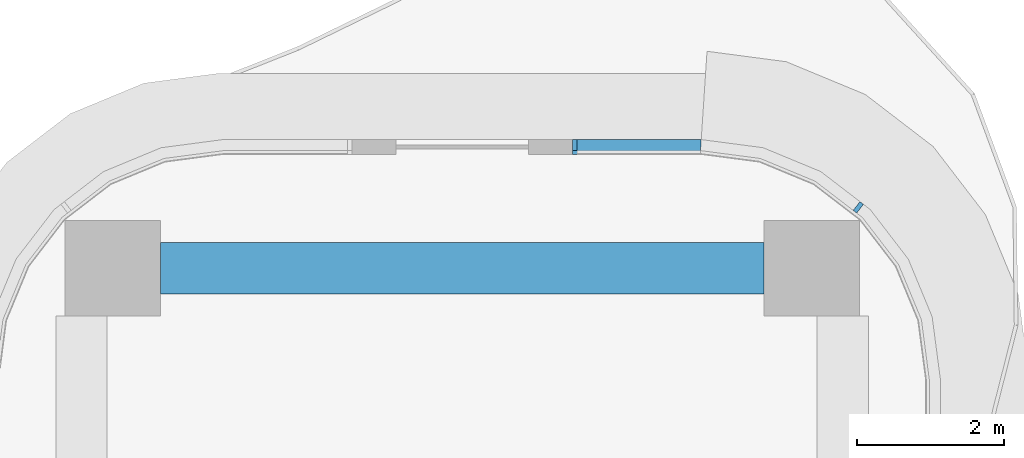
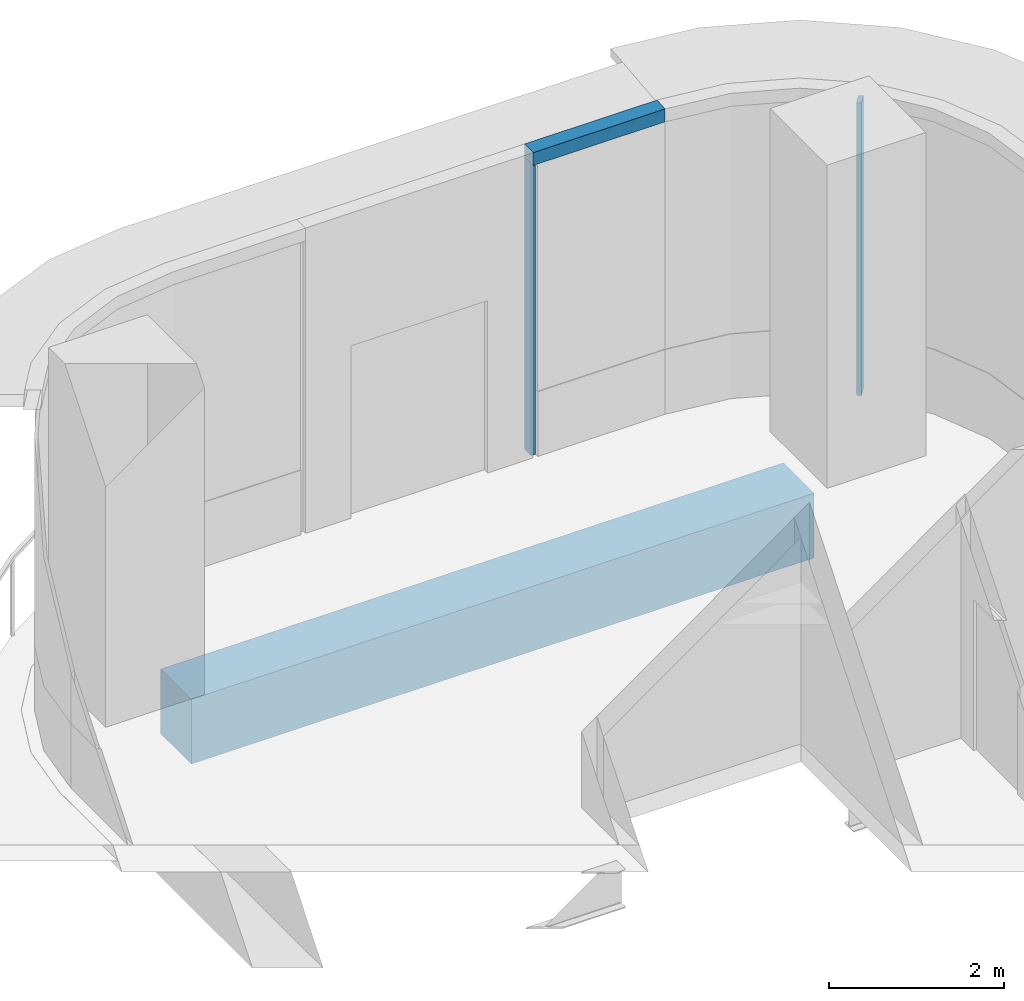
# One storey, part 12 of 23: 3 members, 1 beam, 2 elements without a shape of their own.
"""IFC4 building model written with IfcOpenShell, lengths in metres."""

from ifc_helpers import new_model, si_unit, direction, frame, origin, origin_2d, place, context, subcontext, project, spatial, polyline, rectangle, outline, extrude, source, transform, mapped, material, layer, layer_set, material_profile, profile_set, type_object, element, aggregate, save


model = new_model("IFC4")

# Units and contexts
model_context = context("Model", 3, precision=1e-05, world=origin(), true_north=direction((0.0, 1.0)))
body_context = subcontext(model_context, "Body", "Model", "MODEL_VIEW")
ifc_project = project(units=[si_unit("LENGTHUNIT", "METRE"), si_unit("AREAUNIT", "SQUARE_METRE"), si_unit("VOLUMEUNIT", "CUBIC_METRE"), si_unit("PLANEANGLEUNIT", "RADIAN"), si_unit("MASSUNIT", "GRAM", prefix="KILO")], contexts=[model_context])

# Site, building, storey
site_placement = place(None, origin())
site = spatial("IfcSite", under=ifc_project, at=site_placement, CompositionType="ELEMENT")
building_placement = place(site_placement, origin())
building = spatial("IfcBuilding", under=site, at=building_placement, Name="Trellis Farm Tower", CompositionType="ELEMENT")
storey_placement = place(building_placement, frame((0.0, 0.0, 111.0)))
storey = spatial("IfcBuildingStorey", under=building, at=storey_placement, Name="L23", CompositionType="ELEMENT", Elevation=111.0)

# Beam
ifc_material_1 = material(Name="Concrete C60/75", Category="concrete")
ifc_material_profile_1 = material_profile(ifc_material_1, rectangle(XDim=0.699951171875, YDim=0.89990234375, at=origin_2d()), Name="RC spandrel beam 700x900 C60/75")
ifc_profile_set_1 = profile_set([ifc_material_profile_1], Name="Concrete C60/75")
beam_type = type_object("IfcBeamType", Name="RC spandrel beam 700x900 C60/75", PredefinedType="SPANDREL", material=ifc_profile_set_1)
shared_shape_1 = source(origin(), body_context, "Body", "SweptSolid", [
    extrude(rectangle(XDim=0.699951171875, YDim=0.89990234375, at=origin_2d()), origin(), (0.0, 0.0, 1.0), 8.2001953125),
])
beam_placement = place(storey_placement, frame((-4.10009765625, 24.25, -0.699951171875), z_axis=(1.0, 0.0, 0.0), x_axis=(0.0, 1.0, 0.0)))
element("IfcBeam", 1, at=beam_placement, inside=storey, type_object=beam_type, Name="Girder", PredefinedType="SPANDREL", context=body_context, shape_type="MappedRepresentation", body=[
    mapped(shared_shape_1, transform((0.0, 0.0, 0.0))),
])

# Curtain wall, member
ifc_material_2 = material(Name="Aluminium and glass curtain wall", Category="aluminium")
ifc_layer_1 = layer(ifc_material_2, 0.18994140625)
ifc_layer_set_1 = layer_set([ifc_layer_1], Name="RIBBON CURTAIN WALL CW1")
curtain_wall_type = type_object("IfcCurtainWallType", Name="RIBBON CURTAIN WALL CW1", PredefinedType="NOTDEFINED", material=ifc_layer_set_1)
placement = place(storey_placement, origin())
curtain_wall_1 = element("IfcCurtainWall", 2, at=placement, inside=storey, type_object=curtain_wall_type, Name="CW1 009", PredefinedType="NOTDEFINED")
ifc_material_3 = material(Name="Aluminium extrusion 6063-T6", Category="aluminium")
ifc_material_profile_2 = material_profile(ifc_material_3, rectangle(XDim=0.06005859375, YDim=0.14990234375, at=origin_2d()), Name="MULLION 60x150")
ifc_profile_set_2 = profile_set([ifc_material_profile_2], Name="Aluminium extrusion 6063-T6")
member_type_1 = type_object("IfcMemberType", Name="CW1 MULLION 60x150", PredefinedType="MULLION", material=ifc_profile_set_2)
shared_shape_2 = source(origin(), body_context, "Body", "SweptSolid", [
    extrude(rectangle(XDim=0.06005859375, YDim=0.14990234375, at=origin_2d()), origin(), (0.0, 0.0, 1.0), 4.070068359375),
])
member_1_placement = place(storey_placement, frame((5.385498046875, 25.078369140625, 0.0), z_axis=(0.0, 0.0, 1.0), x_axis=(-0.793353340291, 0.608761429009, 0.0)))
member_1 = element("IfcMember", 3, at=member_1_placement, type_object=member_type_1, Name="MU1 009-03", PredefinedType="MULLION", context=body_context, shape_type="MappedRepresentation", body=[
    mapped(shared_shape_2, transform((0.0, 0.0, 0.0))),
])
aggregate(curtain_wall_1, [member_1])

# Curtain wall, members
curtain_wall_2 = element("IfcCurtainWall", 4, at=placement, inside=storey, type_object=curtain_wall_type, Name="CW1 010", PredefinedType="NOTDEFINED")
member_2_placement = place(storey_placement, frame((1.530029296875, 25.925048828125, 0.0), z_axis=(0.0, 0.0, 1.0), x_axis=(-1.0, 0.0, 0.0)))
member_2 = element("IfcMember", 5, at=member_2_placement, type_object=member_type_1, Name="MU1 010-01", PredefinedType="MULLION", context=body_context, shape_type="MappedRepresentation", body=[
    mapped(shared_shape_2, transform((0.0, 0.0, 0.0))),
])
ifc_layer_2 = layer(ifc_material_3, 0.199951171875)
ifc_layer_set_2 = layer_set([ifc_layer_2], Name="Aluminium extrusion 6063-T6")
member_type_2 = type_object("IfcMemberType", Name="CW1 TRANSOM 200x180", PredefinedType="USERDEFINED", material=ifc_layer_set_2)
shared_shape_3 = source(origin(), body_context, "Body", "SweptSolid", [
    extrude(outline(polyline([(3.25, 26.0), (1.5, 26.0), (1.5, 25.800048828125), (3.23681640625, 25.800048828125), (3.25, 26.0)])), origin(), (0.0, 0.0, 1.0), 0.179931640625),
])
member_3_placement = place(storey_placement, frame((0.0, 0.0, 4.070068359375)))
member_3 = element("IfcMember", 6, at=member_3_placement, type_object=member_type_2, Name="TR1 010", ObjectType="TRANSOM", PredefinedType="USERDEFINED", context=body_context, shape_type="MappedRepresentation", body=[
    mapped(shared_shape_3, transform((0.0, 0.0, 0.0))),
])
aggregate(curtain_wall_2, [member_2, member_3])

save(model, "model.ifc")
